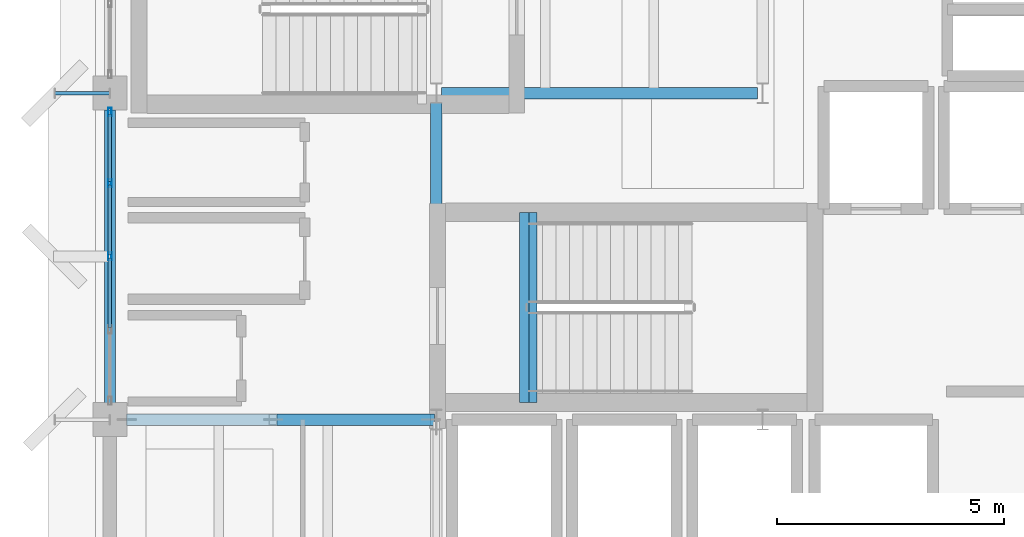
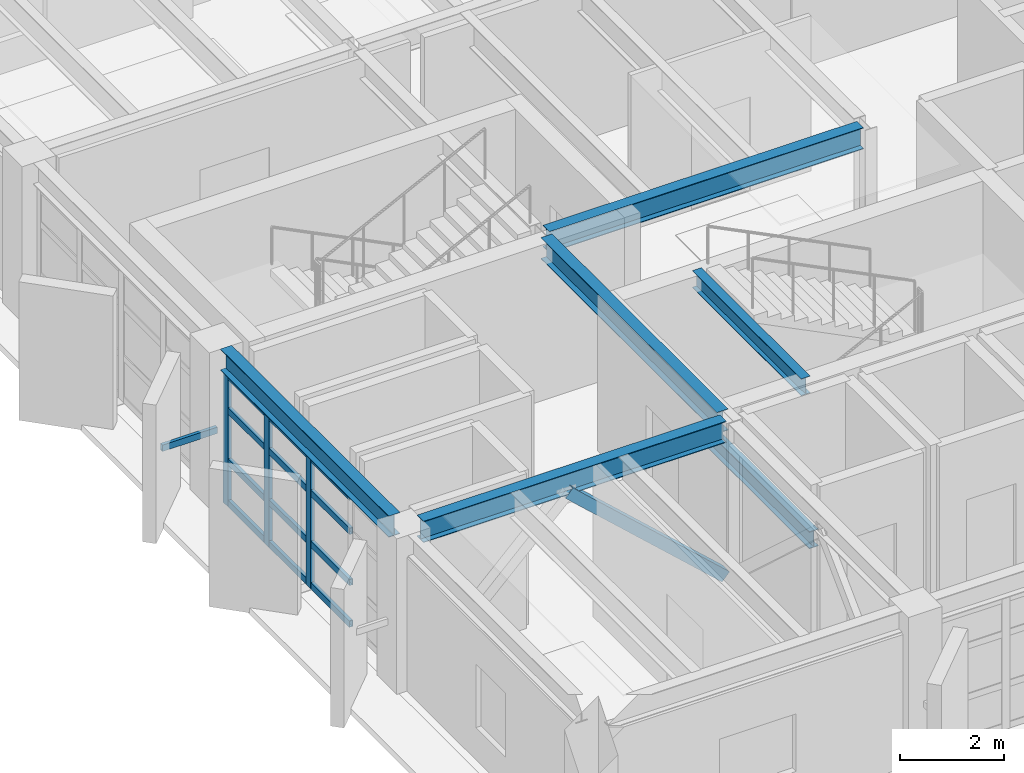
# One storey, part 5 of 24: 17 members, 6 beams, 1 element without a shape of its own.
"""IFC4 building model written with IfcOpenShell, lengths in metres."""

from ifc_helpers import new_model, si_unit, direction, frame, origin, origin_2d, place, context, subcontext, project, spatial, hollow_rectangle, i_section, extrude, material, layer, layer_set, material_profile, profile_set, type_object, element, aggregate, save


model = new_model("IFC4")

# Units and contexts
model_context = context("Model", 3, precision=1e-05, world=origin(), true_north=direction((0.0, 1.0)))
body_context = subcontext(model_context, "Body", "Model", "MODEL_VIEW")
ifc_project = project(units=[si_unit("LENGTHUNIT", "METRE"), si_unit("AREAUNIT", "SQUARE_METRE"), si_unit("VOLUMEUNIT", "CUBIC_METRE"), si_unit("PLANEANGLEUNIT", "RADIAN"), si_unit("MASSUNIT", "GRAM", prefix="KILO")], contexts=[model_context])

# Site, building, storey
site_placement = place(None, origin())
site = spatial("IfcSite", under=ifc_project, at=site_placement, CompositionType="ELEMENT")
building_placement = place(site_placement, origin())
building = spatial("IfcBuilding", under=site, at=building_placement, Name="Kandorven Conservatory and Botanical Research Centre", CompositionType="ELEMENT")
storey_placement = place(building_placement, frame((0.0, 0.0, 24.89990234375)))
storey = spatial("IfcBuildingStorey", under=building, at=storey_placement, Name="L06", CompositionType="ELEMENT", Elevation=24.89990234375)

# Beams
ifc_material_1 = material(Name="Steel S355 (IS 2062 E350)", Category="steel")
ifc_material_profile_1 = material_profile(ifc_material_1, i_section(OverallWidth=0.25, OverallDepth=0.5, WebThickness=0.010009765625, FlangeThickness=0.0146484375, at=origin_2d()))
ifc_profile_set_1 = profile_set([ifc_material_profile_1], Name="Steel S355 (IS 2062 E350)")
beam_type_1 = type_object("IfcBeamType", Name="Beam_FG-02", PredefinedType="USERDEFINED", material=ifc_profile_set_1)
beam_1_placement = place(storey_placement, frame((6.364990234375, 13.199951171875, 3.400146484375), z_axis=(1.0, 0.0, 0.0), x_axis=(0.0, 1.0, 0.0)))
element("IfcBeam", 1, at=beam_1_placement, inside=storey, type_object=beam_type_1, Name="Primary girder FG-02 TWR L06", ObjectType="GIRDER", PredefinedType="USERDEFINED", context=body_context, shape_type="SweptSolid", body=[
    extrude(i_section(OverallWidth=0.25, OverallDepth=0.5, WebThickness=0.010009765625, FlangeThickness=0.0146484375, at=origin_2d()), origin(), (0.0, 0.0, 1.0), 6.719970703125),
])
beam_2_placement = place(storey_placement, frame((13.31494140625, 20.39990234375, 3.400146484375), z_axis=(1.0, 0.0, 0.0), x_axis=(0.0, 1.0, 0.0)))
element("IfcBeam", 2, at=beam_2_placement, inside=storey, type_object=beam_type_1, Name="Primary girder FG-02 TWR L06", ObjectType="GIRDER", PredefinedType="USERDEFINED", context=body_context, shape_type="SweptSolid", body=[
    extrude(i_section(OverallWidth=0.25, OverallDepth=0.5, WebThickness=0.010009765625, FlangeThickness=0.0146484375, at=origin_2d()), origin(), (0.0, 0.0, 1.0), 6.969970703125),
])
beam_3_placement = place(storey_placement, frame((6.0, 13.56494140625, 3.400146484375), z_axis=(0.0, 1.0, 0.0), x_axis=(-1.0, 0.0, 0.0)))
element("IfcBeam", 3, at=beam_3_placement, inside=storey, type_object=beam_type_1, Name="Primary girder FG-02 TWR L06", ObjectType="GIRDER", PredefinedType="USERDEFINED", context=body_context, shape_type="SweptSolid", body=[
    extrude(i_section(OverallWidth=0.25, OverallDepth=0.5, WebThickness=0.010009765625, FlangeThickness=0.0146484375, at=origin_2d()), origin(), (0.0, 0.0, 1.0), 6.469970703125),
])
beam_4_placement = place(storey_placement, frame((13.199951171875, 13.4150390625, 3.400146484375), z_axis=(0.0, 1.0, 0.0), x_axis=(-1.0, 0.0, 0.0)))
element("IfcBeam", 4, at=beam_4_placement, inside=storey, type_object=beam_type_1, Name="Primary girder FG-02 TWR L06", ObjectType="GIRDER", PredefinedType="USERDEFINED", context=body_context, shape_type="SweptSolid", body=[
    extrude(i_section(OverallWidth=0.25, OverallDepth=0.5, WebThickness=0.010009765625, FlangeThickness=0.0146484375, at=origin_2d()), origin(), (0.0, 0.0, 1.0), 6.77001953125),
])
ifc_material_2 = material(Name="Steel S355 (IS 2062 E350)", Category="steel")
ifc_material_profile_2 = material_profile(ifc_material_2, i_section(OverallWidth=0.199951171875, OverallDepth=0.39990234375, WebThickness=0.008544921875, FlangeThickness=0.012939453125, at=origin_2d()))
ifc_profile_set_2 = profile_set([ifc_material_profile_2], Name="Steel S355 (IS 2062 E350)")
beam_type_2 = type_object("IfcBeamType", Name="Beam_FG-03", PredefinedType="USERDEFINED", material=ifc_profile_set_2)
for number, where, z_axis, x_axis, name in (
    (5, (15.320068359375, 13.580078125, -0.199951171875), (0.0, 1.0, 0.0), (-1.0, 0.0, 0.0), "Stair well bottom trimmer girder FG-03 ST-T1 L06"),
    (6, (15.139892578125, 13.580078125, 3.4501953125), (0.0, 1.0, 0.0), (-1.0, 0.0, 0.0), "Stair well top header girder FG-03 ST-T1 L06"),
):
    element("IfcBeam", number, at=place(storey_placement, frame(where, z_axis=z_axis, x_axis=x_axis)), inside=storey, type_object=beam_type_2, Name=name, ObjectType="GIRDER", PredefinedType="USERDEFINED", context=body_context, shape_type="SweptSolid", body=[
        extrude(i_section(OverallWidth=0.199951171875, OverallDepth=0.39990234375, WebThickness=0.008544921875, FlangeThickness=0.012939453125, at=origin_2d()), origin(), (0.0, 0.0, 1.0), 4.18994140625),
    ])

# Curtain wall, members
ifc_material_3 = material(Name="Bronze anodised thermally broken aluminium", Category="aluminium")
ifc_layer = layer(ifc_material_3, 0.179931640625)
ifc_layer_set = layer_set([ifc_layer], Name="Bronze anodised thermally broken aluminium")
curtain_wall_type = type_object("IfcCurtainWallType", Name="CW_Unitised", PredefinedType="USERDEFINED", material=ifc_layer_set)
curtain_wall_placement = place(storey_placement, origin())
curtain_wall = element("IfcCurtainWall", 7, at=curtain_wall_placement, inside=storey, type_object=curtain_wall_type, Name="Tower laboratory curtain wall CW-TWR-W-L06-2", ObjectType="UNITISED GLAZING", PredefinedType="USERDEFINED")
ifc_material_4 = material(Name="Bronze anodised thermally broken aluminium", Category="aluminium")
ifc_material_profile_3 = material_profile(ifc_material_4, hollow_rectangle(XDim=0.080078125, YDim=0.179931640625, WallThickness=0.006103515625, at=origin_2d()))
ifc_profile_set_3 = profile_set([ifc_material_profile_3], Name="Bronze anodised thermally broken aluminium")
member_type_1 = type_object("IfcMemberType", Name="CW_Mullion", PredefinedType="MULLION", material=ifc_profile_set_3)
member_1_placement = place(storey_placement, frame((6.0, 16.800048828125, 0.0), z_axis=(0.0, 0.0, 1.0), x_axis=(-1.0, 0.0, 0.0)))
member_1 = element("IfcMember", 8, at=member_1_placement, type_object=member_type_1, Name="CW-01 mullion 3", PredefinedType="MULLION", context=body_context, shape_type="SweptSolid", body=[
    extrude(hollow_rectangle(XDim=0.080078125, YDim=0.179931640625, WallThickness=0.006103515625, at=origin_2d()), origin(), (0.0, 0.0, 1.0), 3.130126953125),
])
member_2_placement = place(storey_placement, frame((6.0, 18.41259765625, 0.0), z_axis=(0.0, 0.0, 1.0), x_axis=(-1.0, 0.0, 0.0)))
member_2 = element("IfcMember", 9, at=member_2_placement, type_object=member_type_1, Name="CW-01 mullion 4", PredefinedType="MULLION", context=body_context, shape_type="SweptSolid", body=[
    extrude(hollow_rectangle(XDim=0.080078125, YDim=0.179931640625, WallThickness=0.006103515625, at=origin_2d()), origin(), (0.0, 0.0, 1.0), 3.130126953125),
])
member_3_placement = place(storey_placement, frame((6.0, 19.985107421875, 0.0), z_axis=(0.0, 0.0, 1.0), x_axis=(-1.0, 0.0, 0.0)))
member_3 = element("IfcMember", 10, at=member_3_placement, type_object=member_type_1, Name="CW-01 mullion 5", PredefinedType="MULLION", context=body_context, shape_type="SweptSolid", body=[
    extrude(hollow_rectangle(XDim=0.080078125, YDim=0.179931640625, WallThickness=0.006103515625, at=origin_2d()), origin(), (0.0, 0.0, 1.0), 3.130126953125),
])
ifc_material_5 = material(Name="Bronze anodised thermally broken aluminium", Category="aluminium")
ifc_material_profile_4 = material_profile(ifc_material_5, hollow_rectangle(XDim=0.074951171875, YDim=0.14990234375, WallThickness=0.006103515625, at=origin_2d()))
ifc_profile_set_4 = profile_set([ifc_material_profile_4], Name="Bronze anodised thermally broken aluminium")
member_type_2 = type_object("IfcMemberType", Name="CW_Transom", PredefinedType="USERDEFINED", material=ifc_profile_set_4)
member_4_placement = place(storey_placement, frame((6.0, 15.2275390625, 0.0751953125), z_axis=(0.0, 1.0, 0.0), x_axis=(-1.0, 0.0, 0.0)))
member_4 = element("IfcMember", 11, at=member_4_placement, type_object=member_type_2, Name="CW-01 transom 2.1", ObjectType="TRANSOM", PredefinedType="USERDEFINED", context=body_context, shape_type="SweptSolid", body=[
    extrude(hollow_rectangle(XDim=0.074951171875, YDim=0.14990234375, WallThickness=0.006103515625, at=origin_2d()), origin(), (0.0, 0.0, 1.0), 1.532470703125),
])
member_5_placement = place(storey_placement, frame((6.0, 15.2275390625, 1.050048828125), z_axis=(0.0, 1.0, 0.0), x_axis=(-1.0, 0.0, 0.0)))
member_5 = element("IfcMember", 12, at=member_5_placement, type_object=member_type_2, Name="CW-01 transom 2.2", ObjectType="TRANSOM", PredefinedType="USERDEFINED", context=body_context, shape_type="SweptSolid", body=[
    extrude(hollow_rectangle(XDim=0.074951171875, YDim=0.14990234375, WallThickness=0.006103515625, at=origin_2d()), origin(), (0.0, 0.0, 1.0), 1.532470703125),
])
member_6_placement = place(storey_placement, frame((6.0, 15.2275390625, 2.25), z_axis=(0.0, 1.0, 0.0), x_axis=(-1.0, 0.0, 0.0)))
member_6 = element("IfcMember", 13, at=member_6_placement, type_object=member_type_2, Name="CW-01 transom 2.3", ObjectType="TRANSOM", PredefinedType="USERDEFINED", context=body_context, shape_type="SweptSolid", body=[
    extrude(hollow_rectangle(XDim=0.074951171875, YDim=0.14990234375, WallThickness=0.006103515625, at=origin_2d()), origin(), (0.0, 0.0, 1.0), 1.532470703125),
])
member_7_placement = place(storey_placement, frame((6.0, 15.2275390625, 3.05517578125), z_axis=(0.0, 1.0, 0.0), x_axis=(-1.0, 0.0, 0.0)))
member_7 = element("IfcMember", 14, at=member_7_placement, type_object=member_type_2, Name="CW-01 transom 2.4", ObjectType="TRANSOM", PredefinedType="USERDEFINED", context=body_context, shape_type="SweptSolid", body=[
    extrude(hollow_rectangle(XDim=0.074951171875, YDim=0.14990234375, WallThickness=0.006103515625, at=origin_2d()), origin(), (0.0, 0.0, 1.0), 1.532470703125),
])
member_8_placement = place(storey_placement, frame((6.0, 16.840087890625, 0.0751953125), z_axis=(0.0, 1.0, 0.0), x_axis=(-1.0, 0.0, 0.0)))
member_8 = element("IfcMember", 15, at=member_8_placement, type_object=member_type_2, Name="CW-01 transom 3.1", ObjectType="TRANSOM", PredefinedType="USERDEFINED", context=body_context, shape_type="SweptSolid", body=[
    extrude(hollow_rectangle(XDim=0.074951171875, YDim=0.14990234375, WallThickness=0.006103515625, at=origin_2d()), origin(), (0.0, 0.0, 1.0), 1.532470703125),
])
member_9_placement = place(storey_placement, frame((6.0, 16.840087890625, 1.050048828125), z_axis=(0.0, 1.0, 0.0), x_axis=(-1.0, 0.0, 0.0)))
member_9 = element("IfcMember", 16, at=member_9_placement, type_object=member_type_2, Name="CW-01 transom 3.2", ObjectType="TRANSOM", PredefinedType="USERDEFINED", context=body_context, shape_type="SweptSolid", body=[
    extrude(hollow_rectangle(XDim=0.074951171875, YDim=0.14990234375, WallThickness=0.006103515625, at=origin_2d()), origin(), (0.0, 0.0, 1.0), 1.532470703125),
])
member_10_placement = place(storey_placement, frame((6.0, 16.840087890625, 2.25), z_axis=(0.0, 1.0, 0.0), x_axis=(-1.0, 0.0, 0.0)))
member_10 = element("IfcMember", 17, at=member_10_placement, type_object=member_type_2, Name="CW-01 transom 3.3", ObjectType="TRANSOM", PredefinedType="USERDEFINED", context=body_context, shape_type="SweptSolid", body=[
    extrude(hollow_rectangle(XDim=0.074951171875, YDim=0.14990234375, WallThickness=0.006103515625, at=origin_2d()), origin(), (0.0, 0.0, 1.0), 1.532470703125),
])
member_11_placement = place(storey_placement, frame((6.0, 16.840087890625, 3.05517578125), z_axis=(0.0, 1.0, 0.0), x_axis=(-1.0, 0.0, 0.0)))
member_11 = element("IfcMember", 18, at=member_11_placement, type_object=member_type_2, Name="CW-01 transom 3.4", ObjectType="TRANSOM", PredefinedType="USERDEFINED", context=body_context, shape_type="SweptSolid", body=[
    extrude(hollow_rectangle(XDim=0.074951171875, YDim=0.14990234375, WallThickness=0.006103515625, at=origin_2d()), origin(), (0.0, 0.0, 1.0), 1.532470703125),
])
member_12_placement = place(storey_placement, frame((6.0, 18.452392578125, 0.0751953125), z_axis=(0.0, 1.0, 0.0), x_axis=(-1.0, 0.0, 0.0)))
member_12 = element("IfcMember", 19, at=member_12_placement, type_object=member_type_2, Name="CW-01 transom 4.1", ObjectType="TRANSOM", PredefinedType="USERDEFINED", context=body_context, shape_type="SweptSolid", body=[
    extrude(hollow_rectangle(XDim=0.074951171875, YDim=0.14990234375, WallThickness=0.006103515625, at=origin_2d()), origin(), (0.0, 0.0, 1.0), 1.49267578125),
])
member_13_placement = place(storey_placement, frame((6.0, 18.452392578125, 1.050048828125), z_axis=(0.0, 1.0, 0.0), x_axis=(-1.0, 0.0, 0.0)))
member_13 = element("IfcMember", 20, at=member_13_placement, type_object=member_type_2, Name="CW-01 transom 4.2", ObjectType="TRANSOM", PredefinedType="USERDEFINED", context=body_context, shape_type="SweptSolid", body=[
    extrude(hollow_rectangle(XDim=0.074951171875, YDim=0.14990234375, WallThickness=0.006103515625, at=origin_2d()), origin(), (0.0, 0.0, 1.0), 1.49267578125),
])
member_14_placement = place(storey_placement, frame((6.0, 18.452392578125, 2.25), z_axis=(0.0, 1.0, 0.0), x_axis=(-1.0, 0.0, 0.0)))
member_14 = element("IfcMember", 21, at=member_14_placement, type_object=member_type_2, Name="CW-01 transom 4.3", ObjectType="TRANSOM", PredefinedType="USERDEFINED", context=body_context, shape_type="SweptSolid", body=[
    extrude(hollow_rectangle(XDim=0.074951171875, YDim=0.14990234375, WallThickness=0.006103515625, at=origin_2d()), origin(), (0.0, 0.0, 1.0), 1.49267578125),
])
member_15_placement = place(storey_placement, frame((6.0, 18.452392578125, 3.05517578125), z_axis=(0.0, 1.0, 0.0), x_axis=(-1.0, 0.0, 0.0)))
member_15 = element("IfcMember", 22, at=member_15_placement, type_object=member_type_2, Name="CW-01 transom 4.4", ObjectType="TRANSOM", PredefinedType="USERDEFINED", context=body_context, shape_type="SweptSolid", body=[
    extrude(hollow_rectangle(XDim=0.074951171875, YDim=0.14990234375, WallThickness=0.006103515625, at=origin_2d()), origin(), (0.0, 0.0, 1.0), 1.49267578125),
])
aggregate(curtain_wall, [member_1, member_2, member_3, member_4, member_5, member_6, member_7, member_8, member_9, member_10, member_11, member_12, member_13, member_14, member_15])

# Members
ifc_material_6 = material(Name="Steel S355 (IS 2062 E350)", Category="steel")
ifc_material_profile_5 = material_profile(ifc_material_6, hollow_rectangle(XDim=0.25, YDim=0.25, WallThickness=0.011962890625, at=origin_2d()))
ifc_profile_set_5 = profile_set([ifc_material_profile_5], Name="Steel S355 (IS 2062 E350)")
member_type_3 = type_object("IfcMemberType", Name="Mem_BR-02", PredefinedType="BRACE", material=ifc_profile_set_5)
member_16_placement = place(storey_placement, frame((13.074951171875, 13.199951171875, 0.0), z_axis=(-0.737693912921, 0.0, 0.675135312985), x_axis=(0.0, -1.0, 0.0)))
element("IfcMember", 23, at=member_16_placement, inside=storey, type_object=member_type_3, Name="Tower lateral chevron brace BR-02 L06 E", PredefinedType="BRACE", context=body_context, shape_type="SweptSolid", body=[
    extrude(hollow_rectangle(XDim=0.25, YDim=0.25, WallThickness=0.011962890625, at=origin_2d()), origin(), (0.0, 0.0, 1.0), 4.71044921875),
])
ifc_material_7 = material(Name="Steel S355 (IS 2062 E350)", Category="steel")
ifc_material_profile_6 = material_profile(ifc_material_7, hollow_rectangle(XDim=0.074951171875, YDim=0.14990234375, WallThickness=0.006103515625, at=origin_2d()))
ifc_profile_set_6 = profile_set([ifc_material_profile_6], Name="Steel S355 (IS 2062 E350)")
member_type_4 = type_object("IfcMemberType", Name="Mem_SF-01", PredefinedType="STRUT", material=ifc_profile_set_6)
member_17_placement = place(storey_placement, frame((6.0, 20.39990234375, 1.5), z_axis=(-1.0, 0.0, 0.0), x_axis=(0.0, -1.0, 0.0)))
element("IfcMember", 24, at=member_17_placement, inside=storey, type_object=member_type_4, Name="Solar fin steel outrigger strut SF-01 #67", PredefinedType="STRUT", context=body_context, shape_type="SweptSolid", body=[
    extrude(hollow_rectangle(XDim=0.074951171875, YDim=0.14990234375, WallThickness=0.006103515625, at=origin_2d()), origin(), (0.0, 0.0, 1.0), 1.219970703125),
])

save(model, "model.ifc")
